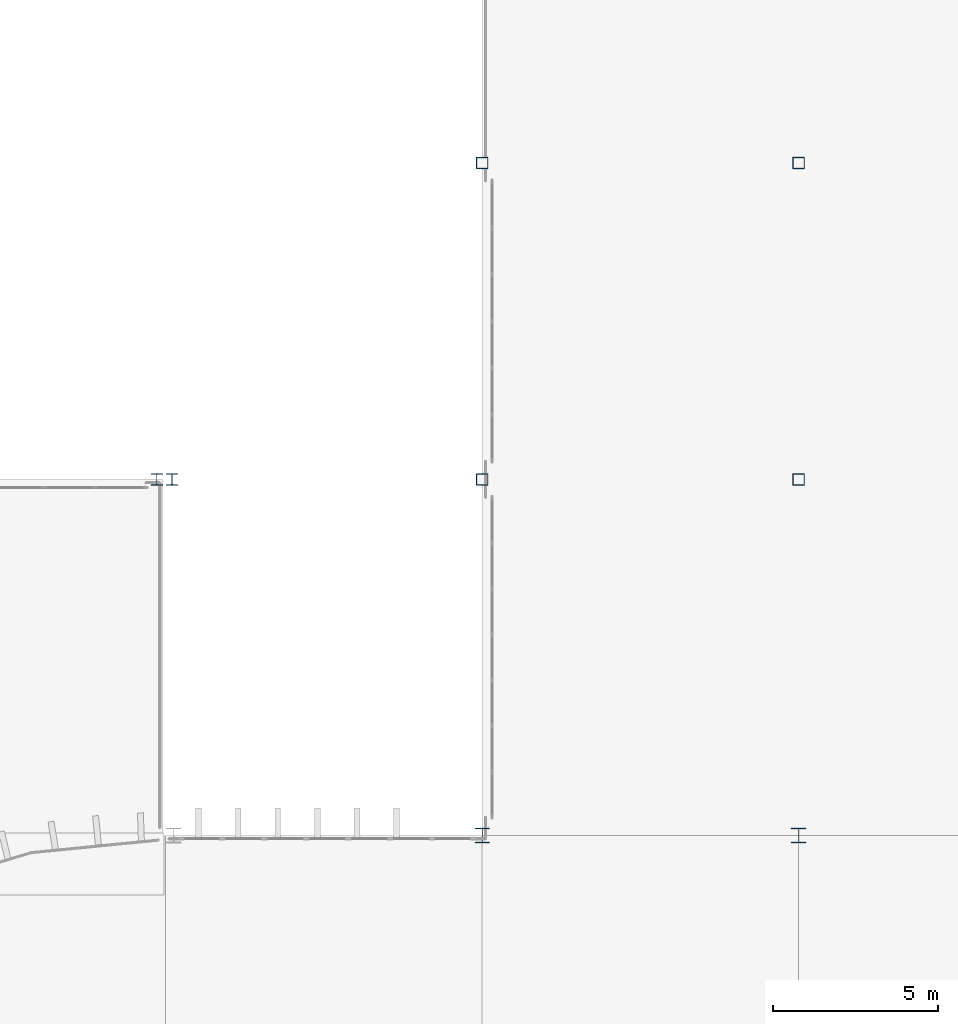
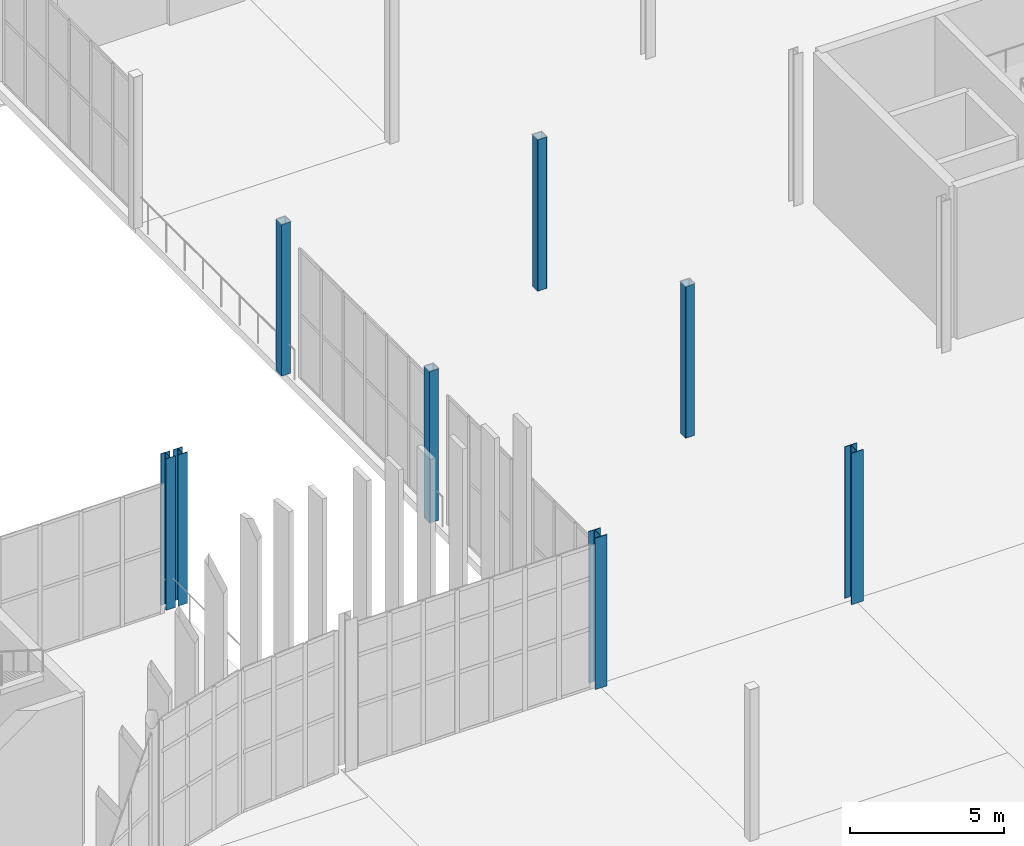
# One storey, part 11 of 139: 8 columns.
"""IFC4 building model written with IfcOpenShell, lengths in metres."""

from ifc_helpers import new_model, si_unit, direction, frame, origin, origin_2d, place, context, subcontext, project, spatial, hollow_rectangle, i_section, extrude, material, material_profile, profile_set, type_object, element, save


model = new_model("IFC4")

# Units and contexts
model_context = context("Model", 3, precision=1e-05, world=origin(), true_north=direction((0.0, 1.0)))
body_context = subcontext(model_context, "Body", "Model", "MODEL_VIEW")
ifc_project = project(units=[si_unit("LENGTHUNIT", "METRE"), si_unit("AREAUNIT", "SQUARE_METRE"), si_unit("VOLUMEUNIT", "CUBIC_METRE"), si_unit("PLANEANGLEUNIT", "RADIAN"), si_unit("MASSUNIT", "GRAM", prefix="KILO")], contexts=[model_context])

# Site, building, storey
site_placement = place(None, origin())
site = spatial("IfcSite", under=ifc_project, at=site_placement, CompositionType="ELEMENT")
building_placement = place(site_placement, origin())
building = spatial("IfcBuilding", under=site, at=building_placement, Name="Yeouljin Market Hall", CompositionType="ELEMENT")
storey_placement = place(building_placement, origin())
storey = spatial("IfcBuildingStorey", under=building, at=storey_placement, Name="L00", CompositionType="ELEMENT", Elevation=0.0)

# Columns
ifc_material_1 = material(Name="Steel SM355", Category="steel")
ifc_material_profile_1 = material_profile(ifc_material_1, i_section(OverallWidth=0.35009765625, OverallDepth=0.35009765625, WebThickness=0.011962890625, FlangeThickness=0.01904296875, FilletRadius=0.02001953125, at=origin_2d()), Name="H-350x350x12x19")
ifc_profile_set_1 = profile_set([ifc_material_profile_1], Name="Steel SM355")
column_type_1 = type_object("IfcColumnType", Name="Col_H-350x350x12x19", PredefinedType="COLUMN", material=ifc_profile_set_1)
for number, where, z_axis, x_axis, name in (
    (1, (35.1298828125, 88.800048828125, 0.0), (0.0, 0.0, 1.0), (1.0, 0.0, 0.0), "Column G-04-09 (L00)"),
    (2, (35.590087890625, 88.800048828125, 0.0), (0.0, 0.0, 1.0), (1.0, 0.0, 0.0), "Column G-05-09 (L00)"),
):
    element("IfcColumn", number, at=place(storey_placement, frame(where, z_axis=z_axis, x_axis=x_axis)), inside=storey, type_object=column_type_1, Name=name, PredefinedType="COLUMN", context=body_context, shape_type="SweptSolid", body=[
        extrude(i_section(OverallWidth=0.35009765625, OverallDepth=0.35009765625, WebThickness=0.011962890625, FlangeThickness=0.01904296875, FilletRadius=0.02001953125, at=origin_2d()), origin(), (0.0, 0.0, 1.0), 6.0),
    ])
ifc_material_2 = material(Name="Steel SM355", Category="steel")
ifc_material_profile_2 = material_profile(ifc_material_2, i_section(OverallWidth=0.449951171875, OverallDepth=0.449951171875, WebThickness=0.013916015625, FlangeThickness=0.02392578125, FilletRadius=0.02392578125, at=origin_2d()), Name="H-450x450x14x24")
ifc_profile_set_2 = profile_set([ifc_material_profile_2], Name="Steel SM355")
column_type_2 = type_object("IfcColumnType", Name="Col_H-450x450x14x24", PredefinedType="COLUMN", material=ifc_profile_set_2)
for number, where, z_axis, x_axis, name in (
    (3, (45.0, 78.0, 0.0), (0.0, 0.0, 1.0), (1.0, 0.0, 0.0), "Column G-06-08 (L00)"),
    (4, (54.60009765625, 78.0, 0.0), (0.0, 0.0, 1.0), (1.0, 0.0, 0.0), "Column G-07-08 (L00)"),
):
    element("IfcColumn", number, at=place(storey_placement, frame(where, z_axis=z_axis, x_axis=x_axis)), inside=storey, type_object=column_type_2, Name=name, PredefinedType="COLUMN", context=body_context, shape_type="SweptSolid", body=[
        extrude(i_section(OverallWidth=0.449951171875, OverallDepth=0.449951171875, WebThickness=0.013916015625, FlangeThickness=0.02392578125, FilletRadius=0.02392578125, at=origin_2d()), origin(), (0.0, 0.0, 1.0), 6.0),
    ])
ifc_material_3 = material(Name="Steel SM355", Category="steel")
ifc_material_profile_3 = material_profile(ifc_material_3, hollow_rectangle(XDim=0.35009765625, YDim=0.35009765625, WallThickness=0.011962890625, InnerFilletRadius=0.011962890625, OuterFilletRadius=0.01611328125, at=origin_2d()), Name="SHS-350x350x12")
ifc_profile_set_3 = profile_set([ifc_material_profile_3], Name="Steel SM355")
column_type_3 = type_object("IfcColumnType", Name="Col_SHS-350x350x12", PredefinedType="COLUMN", material=ifc_profile_set_3)
for number, where, z_axis, x_axis, name in (
    (5, (45.0, 88.800048828125, 0.0), (0.0, 0.0, 1.0), (1.0, 0.0, 0.0), "Column G-06-09 (L00)"),
    (6, (45.0, 98.39990234375, 0.0), (0.0, 0.0, 1.0), (1.0, 0.0, 0.0), "Column G-06-10 (L00)"),
    (7, (54.60009765625, 88.800048828125, 0.0), (0.0, 0.0, 1.0), (1.0, 0.0, 0.0), "Column G-07-09 (L00)"),
    (8, (54.60009765625, 98.39990234375, 0.0), (0.0, 0.0, 1.0), (1.0, 0.0, 0.0), "Column G-07-10 (L00)"),
):
    element("IfcColumn", number, at=place(storey_placement, frame(where, z_axis=z_axis, x_axis=x_axis)), inside=storey, type_object=column_type_3, Name=name, PredefinedType="COLUMN", context=body_context, shape_type="SweptSolid", body=[
        extrude(hollow_rectangle(XDim=0.35009765625, YDim=0.35009765625, WallThickness=0.011962890625, InnerFilletRadius=0.011962890625, OuterFilletRadius=0.01611328125, at=origin_2d()), origin(), (0.0, 0.0, 1.0), 6.0),
    ])

save(model, "model.ifc")
